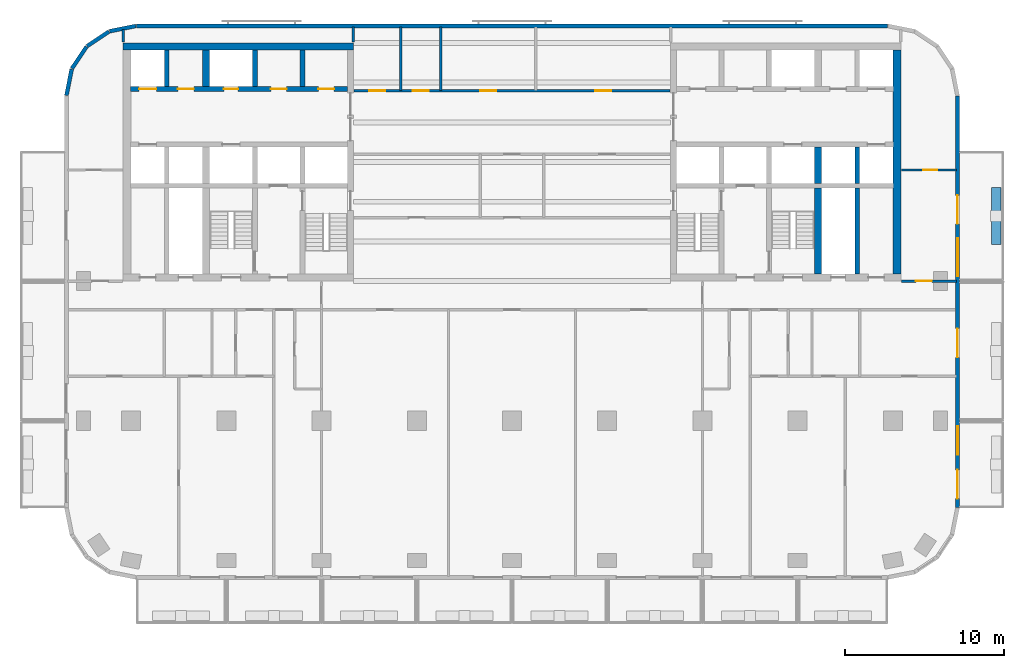
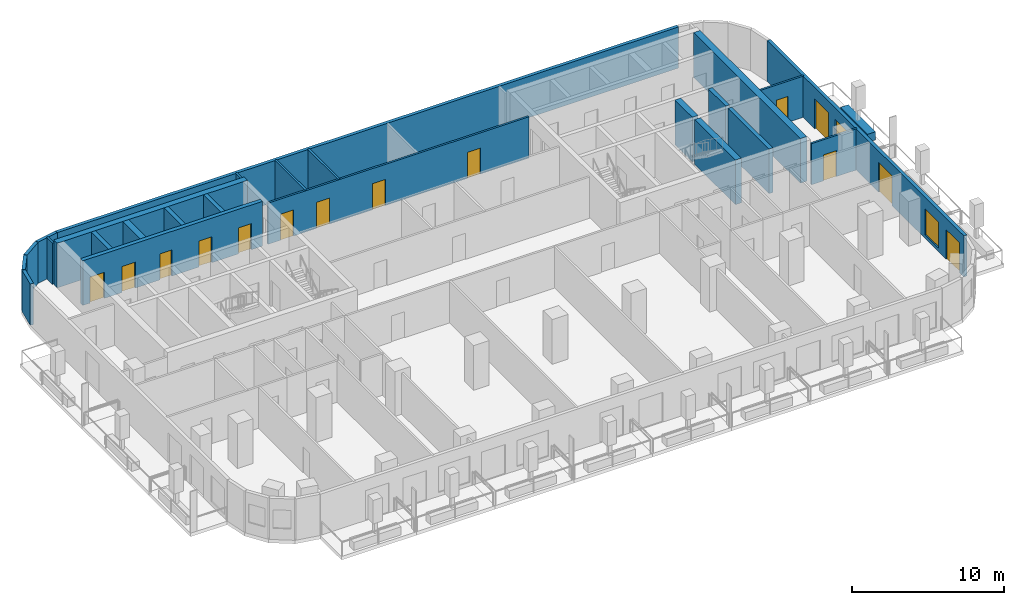
# One storey, part 6 of 11: 25 walls, 14 doors, 2 windows, 16 openings.
"""IFC4 building model written with IfcOpenShell, lengths in metres."""

from ifc_helpers import new_model, si_unit, direction, frame, frame_2d, origin, place, context, subcontext, project, spatial, rectangle, extrude, material, layer, layer_set, type_object, element, fill, save


model = new_model("IFC4")

# Units and contexts
model_context = context("Model", 3, precision=1e-05, world=origin(), true_north=direction((0.0, 1.0)))
body_context = subcontext(model_context, "Body", "Model", "MODEL_VIEW")
ifc_project = project(units=[si_unit("LENGTHUNIT", "METRE"), si_unit("AREAUNIT", "SQUARE_METRE"), si_unit("VOLUMEUNIT", "CUBIC_METRE"), si_unit("PLANEANGLEUNIT", "RADIAN"), si_unit("MASSUNIT", "GRAM", prefix="KILO")], contexts=[model_context])

# Site, building, storey
site_placement = place(None, origin())
site = spatial("IfcSite", under=ifc_project, at=site_placement, CompositionType="ELEMENT")
building_placement = place(site_placement, origin())
building = spatial("IfcBuilding", under=site, at=building_placement, Name="Torana Hotel and Residences", CompositionType="ELEMENT")
storey_placement = place(building_placement, frame((0.0, 0.0, 148.800048828125)))
storey = spatial("IfcBuildingStorey", under=building, at=storey_placement, Name="L38", CompositionType="ELEMENT", Elevation=148.800048828125)

# Wall, openings, doors
ifc_material_1 = material(Name="Concrete C70/85", Category="concrete")
ifc_layer_1 = layer(ifc_material_1, 0.300048828125)
ifc_layer_set_1 = layer_set([ifc_layer_1], Name="CORE WALL 300 C70/85")
wall_type_1 = type_object("IfcWallType", Name="CORE WALL 300 C70/85", PredefinedType="SHEAR", material=ifc_layer_set_1)
wall_1_placement = place(storey_placement, frame((-24.050048828125, -2.89990234375, 0.0), z_axis=(0.0, 0.0, 1.0), x_axis=(1.0, 0.0, 0.0)))
wall_1 = element("IfcWall", 1, at=wall_1_placement, inside=storey, type_object=wall_type_1, Name="Core wall W row-N", PredefinedType="SHEAR", context=body_context, shape_type="SweptSolid", body=[
    extrude(rectangle(XDim=13.699951171875, YDim=0.300048828125, at=frame_2d((6.85009765625, 0.0))), origin(), (0.0, 0.0, 1.0), 3.599853515625),
])
opening_1_placement = place(wall_1_placement, frame((0.550048828125, 0.0, 0.0)))
opening_1 = element("IfcOpeningElement", 2, at=opening_1_placement, cuts=wall_1, Name="Opening LD", PredefinedType="OPENING", context=body_context, shape_type="SweptSolid", body=[
    extrude(rectangle(XDim=1.10009765625, YDim=2.10009765625, at=frame_2d((0.550048828125, 1.050048828125))), frame((0.0, 0.159912109375, 0.0), z_axis=(0.0, -1.0, 0.0), x_axis=(1.0, 0.0, 0.0)), (0.0, 0.0, 1.0), 0.320068359375),
])
opening_2_placement = place(wall_1_placement, frame((5.89990234375, 0.0, 0.0)))
opening_2 = element("IfcOpeningElement", 3, at=opening_2_placement, cuts=wall_1, Name="Opening L38-08", PredefinedType="OPENING", context=body_context, shape_type="SweptSolid", body=[
    extrude(rectangle(XDim=0.89990234375, YDim=2.10009765625, at=frame_2d((0.449951171875, 1.050048828125))), frame((0.0, 0.159912109375, 0.0), z_axis=(0.0, -1.0, 0.0), x_axis=(1.0, 0.0, 0.0)), (0.0, 0.0, 1.0), 0.320068359375),
])
opening_3_placement = place(wall_1_placement, frame((11.85009765625, 0.0, 0.0)))
opening_3 = element("IfcOpeningElement", 4, at=opening_3_placement, cuts=wall_1, Name="Opening L38-09", PredefinedType="OPENING", context=body_context, shape_type="SweptSolid", body=[
    extrude(rectangle(XDim=1.0, YDim=2.10009765625, at=frame_2d((0.5, 1.050048828125))), frame((0.0, 0.159912109375, 0.0), z_axis=(0.0, -1.0, 0.0), x_axis=(1.0, 0.0, 0.0)), (0.0, 0.0, 1.0), 0.320068359375),
])
opening_4_placement = place(wall_1_placement, frame((8.85009765625, 0.0, 0.0)))
opening_4 = element("IfcOpeningElement", 5, at=opening_4_placement, cuts=wall_1, Name="Opening L38-10", PredefinedType="OPENING", context=body_context, shape_type="SweptSolid", body=[
    extrude(rectangle(XDim=1.0, YDim=2.10009765625, at=frame_2d((0.5, 1.050048828125))), frame((0.0, 0.159912109375, 0.0), z_axis=(0.0, -1.0, 0.0), x_axis=(1.0, 0.0, 0.0)), (0.0, 0.0, 1.0), 0.320068359375),
])
opening_5_placement = place(wall_1_placement, frame((3.0, 0.0, 0.0)))
opening_5 = element("IfcOpeningElement", 6, at=opening_5_placement, cuts=wall_1, Name="Opening L38-11", PredefinedType="OPENING", context=body_context, shape_type="SweptSolid", body=[
    extrude(rectangle(XDim=1.0, YDim=2.10009765625, at=frame_2d((0.5, 1.050048828125))), frame((0.0, 0.159912109375, 0.0), z_axis=(0.0, -1.0, 0.0), x_axis=(1.0, 0.0, 0.0)), (0.0, 0.0, 1.0), 0.320068359375),
])
ifc_material_2 = material(Name="Steel S235", Category="steel")
door_type_1 = type_object("IfcDoorType", Name="CORE ROOM FIRE DOOR D14 1000x2100", OperationType="SINGLE_SWING_LEFT", PredefinedType="DOOR", material=ifc_material_2)
door_1_placement = place(opening_3_placement, origin())
door_1 = element("IfcDoor", 7, at=door_1_placement, inside=storey, type_object=door_type_1, Name="N0 door L38", OperationType="SINGLE_SWING_RIGHT", OverallHeight=2.10009765625, OverallWidth=1.0, PredefinedType="DOOR", context=body_context, shape_type="SweptSolid", body=[
    extrude(rectangle(XDim=1.0, YDim=2.10009765625, at=frame_2d((0.5, 1.050048828125))), frame((0.0, 0.02490234375, 0.0), z_axis=(0.0, -1.0, 0.0), x_axis=(1.0, 0.0, 0.0)), (0.0, 0.0, 1.0), 0.050048828125),
])
fill(opening_3, door_1)
door_2_placement = place(opening_4_placement, origin())
door_2 = element("IfcDoor", 8, at=door_2_placement, inside=storey, type_object=door_type_1, Name="N1 door L38", OperationType="SINGLE_SWING_RIGHT", OverallHeight=2.10009765625, OverallWidth=1.0, PredefinedType="DOOR", context=body_context, shape_type="SweptSolid", body=[
    extrude(rectangle(XDim=1.0, YDim=2.10009765625, at=frame_2d((0.5, 1.050048828125))), frame((0.0, 0.02490234375, 0.0), z_axis=(0.0, -1.0, 0.0), x_axis=(1.0, 0.0, 0.0)), (0.0, 0.0, 1.0), 0.050048828125),
])
fill(opening_4, door_2)
door_3_placement = place(opening_5_placement, origin())
door_3 = element("IfcDoor", 9, at=door_3_placement, inside=storey, type_object=door_type_1, Name="Freed-S1 door L38", OperationType="SINGLE_SWING_RIGHT", OverallHeight=2.10009765625, OverallWidth=1.0, PredefinedType="DOOR", context=body_context, shape_type="SweptSolid", body=[
    extrude(rectangle(XDim=1.0, YDim=2.10009765625, at=frame_2d((0.5, 1.050048828125))), frame((0.0, 0.02490234375, 0.0), z_axis=(0.0, -1.0, 0.0), x_axis=(1.0, 0.0, 0.0)), (0.0, 0.0, 1.0), 0.050048828125),
])
fill(opening_5, door_3)
ifc_material_3 = material(Name="Stainless steel 316", Category="steel")
door_type_2 = type_object("IfcDoorType", Name="LIFT LANDING DOOR LD 1100x2100", OperationType="DOUBLE_DOOR_SLIDING", PredefinedType="USERDEFINED", material=ifc_material_3)
door_4_placement = place(opening_1_placement, origin())
door_4 = element("IfcDoor", 10, at=door_4_placement, inside=storey, type_object=door_type_2, Name="Lift landing door M1 L38", ObjectType="LIFT LANDING DOOR", OperationType="DOUBLE_DOOR_SLIDING", OverallHeight=2.10009765625, OverallWidth=1.10009765625, PredefinedType="USERDEFINED", context=body_context, shape_type="SweptSolid", body=[
    extrude(rectangle(XDim=1.10009765625, YDim=2.10009765625, at=frame_2d((0.550048828125, 1.050048828125))), frame((0.0, 0.02490234375, 0.0), z_axis=(0.0, -1.0, 0.0), x_axis=(1.0, 0.0, 0.0)), (0.0, 0.0, 1.0), 0.050048828125),
])
fill(opening_1, door_4)
ifc_material_4 = material(Name="Steel S235", Category="steel")
door_type_3 = type_object("IfcDoorType", Name="RISER ACCESS DOOR D5 900x2100", OperationType="SINGLE_SWING_LEFT", PredefinedType="DOOR", material=ifc_material_4)
door_5_placement = place(opening_2_placement, origin())
door_5 = element("IfcDoor", 11, at=door_5_placement, inside=storey, type_object=door_type_3, Name="N2 door L38", OperationType="SINGLE_SWING_RIGHT", OverallHeight=2.10009765625, OverallWidth=0.89990234375, PredefinedType="DOOR", context=body_context, shape_type="SweptSolid", body=[
    extrude(rectangle(XDim=0.89990234375, YDim=2.10009765625, at=frame_2d((0.449951171875, 1.050048828125))), frame((0.0, 0.02490234375, 0.0), z_axis=(0.0, -1.0, 0.0), x_axis=(1.0, 0.0, 0.0)), (0.0, 0.0, 1.0), 0.050048828125),
])
fill(opening_2, door_5)

# Walls
for number, where, z_axis, x_axis, name in (
    (12, (-13.199951171875, -2.75, 0.0), (0.0, 0.0, 1.0), (0.0, 1.0, 0.0), "Core wall W x3.05-N"),
    (13, (-16.199951171875, -2.75, 0.0), (0.0, 0.0, 1.0), (0.0, 1.0, 0.0), "Core wall W x6.05-N"),
    (14, (-21.75, -2.75, 0.0), (0.0, 0.0, 1.0), (0.0, 1.0, 0.0), "Core wall W mm-N"),
    (15, (21.75, -8.85009765625, 0.0), (0.0, 0.0, 1.0), (0.0, 1.0, 0.0), "Core wall E mm-S"),
):
    element("IfcWall", number, at=place(storey_placement, frame(where, z_axis=z_axis, x_axis=x_axis)), inside=storey, type_object=wall_type_1, Name=name, PredefinedType="SHEAR", context=body_context, shape_type="SweptSolid", body=[
        extrude(rectangle(XDim=2.300048828125, YDim=0.300048828125, at=frame_2d((1.14990234375, 0.0))), origin(), (0.0, 0.0, 1.0), 3.599853515625),
    ])
wall_2_placement = place(storey_placement, frame((21.75, -14.550048828125, 0.0), z_axis=(0.0, 0.0, 1.0), x_axis=(0.0, 1.0, 0.0)))
element("IfcWall", 16, at=wall_2_placement, inside=storey, type_object=wall_type_1, Name="Core wall E mm-band", PredefinedType="SHEAR", context=body_context, shape_type="SweptSolid", body=[
    extrude(rectangle(XDim=5.400146484375, YDim=0.300048828125, at=frame_2d((2.7001953125, 0.0))), origin(), (0.0, 0.0, 1.0), 3.599853515625),
])
ifc_material_5 = material(Name="Concrete C70/85", Category="concrete")
ifc_layer_2 = layer(ifc_material_5, 0.449951171875)
ifc_layer_set_2 = layer_set([ifc_layer_2], Name="CORE WALL 450 C70/85")
wall_type_2 = type_object("IfcWallType", Name="CORE WALL 450 C70/85", PredefinedType="SHEAR", material=ifc_layer_set_2)
wall_3_placement = place(storey_placement, frame((-24.5, -0.22509765625, 0.0), z_axis=(0.0, 0.0, 1.0), x_axis=(1.0, 0.0, 0.0)))
element("IfcWall", 17, at=wall_3_placement, inside=storey, type_object=wall_type_2, Name="Core wall W rear", PredefinedType="SHEAR", context=body_context, shape_type="SweptSolid", body=[
    extrude(rectangle(XDim=14.5, YDim=0.449951171875, at=frame_2d((7.25, 0.0))), origin(), (0.0, 0.0, 1.0), 3.599853515625),
])
for number, where, z_axis, x_axis, name in (
    (18, (-19.27490234375, -2.75, 0.0), (0.0, 0.0, 1.0), (0.0, 1.0, 0.0), "Core wall W hm-N"),
    (19, (19.27490234375, -8.85009765625, 0.0), (0.0, 0.0, 1.0), (0.0, 1.0, 0.0), "Core wall E hm-S"),
):
    element("IfcWall", number, at=place(storey_placement, frame(where, z_axis=z_axis, x_axis=x_axis)), inside=storey, type_object=wall_type_2, Name=name, PredefinedType="SHEAR", context=body_context, shape_type="SweptSolid", body=[
        extrude(rectangle(XDim=2.300048828125, YDim=0.449951171875, at=frame_2d((1.14990234375, 0.0))), origin(), (0.0, 0.0, 1.0), 3.599853515625),
    ])
wall_4_placement = place(storey_placement, frame((19.27490234375, -14.550048828125, 0.0), z_axis=(0.0, 0.0, 1.0), x_axis=(0.0, 1.0, 0.0)))
element("IfcWall", 20, at=wall_4_placement, inside=storey, type_object=wall_type_2, Name="Core wall E hm-band", PredefinedType="SHEAR", context=body_context, shape_type="SweptSolid", body=[
    extrude(rectangle(XDim=5.400146484375, YDim=0.449951171875, at=frame_2d((2.7001953125, 0.0))), origin(), (0.0, 0.0, 1.0), 3.599853515625),
])
ifc_material_6 = material(Name="Concrete C70/85", Category="concrete")
ifc_layer_3 = layer(ifc_material_6, 0.5)
ifc_layer_set_3 = layer_set([ifc_layer_3], Name="CORE WALL 500 C70/85")
wall_type_3 = type_object("IfcWallType", Name="CORE WALL 500 C70/85", PredefinedType="SHEAR", material=ifc_layer_set_3)
wall_5_placement = place(storey_placement, frame((24.25, -14.550048828125, 0.0), z_axis=(0.0, 0.0, 1.0), x_axis=(0.0, 1.0, 0.0)))
element("IfcWall", 21, at=wall_5_placement, inside=storey, type_object=wall_type_3, Name="Core wall E outer", PredefinedType="SHEAR", context=body_context, shape_type="SweptSolid", body=[
    extrude(rectangle(XDim=14.10009765625, YDim=0.5, at=frame_2d((7.050048828125, 0.0))), origin(), (0.0, 0.0, 1.0), 3.599853515625),
])
ifc_material_7 = material(Name="Black aluminium composite panel", Category="aluminium")
ifc_layer_4 = layer(ifc_material_7, 0.00390625, Name="Cladding", Category="cladding")
ifc_material_8 = material(Name="Ventilated air cavity")
ifc_layer_5 = layer(ifc_material_8, 0.0400390625, Name="Ventilated cavity", Category="cavity")
ifc_material_9 = material(Name="Mineral wool insulation")
ifc_layer_6 = layer(ifc_material_9, 0.090087890625, Name="Insulation", Category="insulation")
ifc_material_10 = material(Name="Steel S280GD", Category="steel")
ifc_layer_7 = layer(ifc_material_10, 0.092041015625, Name="Steel stud frame", Category="structure")
ifc_material_11 = material(Name="Fire rated plasterboard")
ifc_layer_8 = layer(ifc_material_11, 0.011962890625, Name="Inner board", Category="finish")
ifc_layer_9 = layer(ifc_material_11, 0.011962890625, Name="Second board", Category="finish")
ifc_layer_set_4 = layer_set([ifc_layer_4, ifc_layer_5, ifc_layer_6, ifc_layer_7, ifc_layer_8, ifc_layer_9], Name="EW1 EXTERNAL WALL BLACK METAL CLAD 250")
wall_type_4 = type_object("IfcWallType", Name="EW1 EXTERNAL WALL BLACK METAL CLAD 250", PredefinedType="SOLIDWALL", material=ifc_layer_set_4)
wall_6_placement = place(storey_placement, frame((-23.69970703125, 1.072509765625, 0.0), z_axis=(0.0, 0.0, 1.0), x_axis=(-0.980803419081, -0.194999110559, 0.0)))
element("IfcWall", 22, at=wall_6_placement, inside=storey, type_object=wall_type_4, Name="External wall L38 e0.5", PredefinedType="SOLIDWALL", context=body_context, shape_type="SweptSolid", body=[
    extrude(rectangle(XDim=1.681396484375, YDim=0.25, at=frame_2d((0.8408203125, 0.0))), origin(), (0.0, 0.0, 1.0), 3.320068359375),
])
for number, where, z_axis, x_axis, name in (
    (23, (-25.39404296875, 0.725830078125, 0.0), (0.0, 0.0, 1.0), (-0.831482937015, -0.55555029066, 0.0), "External wall L38 e0.6"),
    (24, (-26.8056640625, -0.228759765625, 0.0), (0.0, 0.0, 1.0), (-0.55555029066, -0.831482937015, 0.0), "External wall L38 e0.7"),
):
    element("IfcWall", number, at=place(storey_placement, frame(where, z_axis=z_axis, x_axis=x_axis)), inside=storey, type_object=wall_type_4, Name=name, PredefinedType="SOLIDWALL", context=body_context, shape_type="SweptSolid", body=[
        extrude(rectangle(XDim=1.65625, YDim=0.25, at=frame_2d((0.828125, 0.0))), origin(), (0.0, 0.0, 1.0), 3.320068359375),
    ])
wall_7_placement = place(storey_placement, frame((-27.74462890625, -1.651123046875, 0.0), z_axis=(0.0, 0.0, 1.0), x_axis=(-0.194999110559, -0.980803419081, 0.0)))
element("IfcWall", 25, at=wall_7_placement, inside=storey, type_object=wall_type_4, Name="External wall L38 e0.8", PredefinedType="SOLIDWALL", context=body_context, shape_type="SweptSolid", body=[
    extrude(rectangle(XDim=1.681396484375, YDim=0.25, at=frame_2d((0.8408203125, 0.0))), origin(), (0.0, 0.0, 1.0), 3.320068359375),
])

# Wall, openings, doors, windows
wall_8_placement = place(storey_placement, frame((28.074951171875, -29.275390625, 0.0), z_axis=(0.0, 0.0, 1.0), x_axis=(0.0, 1.0, 0.0)))
wall_8 = element("IfcWall", 26, at=wall_8_placement, inside=storey, type_object=wall_type_4, Name="External wall L38 e0.19", PredefinedType="SOLIDWALL", context=body_context, shape_type="SweptSolid", body=[
    extrude(rectangle(XDim=25.95068359375, YDim=0.25, at=frame_2d((12.975341796875, 0.0))), origin(), (0.0, 0.0, 1.0), 3.320068359375),
])
opening_6_placement = place(wall_8_placement, frame((0.575439453125, 0.0, 0.0)))
opening_6 = element("IfcOpeningElement", 27, at=opening_6_placement, cuts=wall_8, Name="Opening L38-E09", PredefinedType="OPENING", context=body_context, shape_type="SweptSolid", body=[
    extrude(rectangle(XDim=1.800048828125, YDim=2.39990234375, at=frame_2d((0.89990234375, 1.199951171875))), frame((0.0, 0.135009765625, 0.0), z_axis=(0.0, -1.0, 0.0), x_axis=(1.0, 0.0, 0.0)), (0.0, 0.0, 1.0), 0.27001953125),
])
opening_7_placement = place(wall_8_placement, frame((3.325439453125, 0.0, 0.300048828125)))
opening_7 = element("IfcOpeningElement", 28, at=opening_7_placement, cuts=wall_8, Name="Opening W2", PredefinedType="OPENING", context=body_context, shape_type="SweptSolid", body=[
    extrude(rectangle(XDim=1.800048828125, YDim=2.10009765625, at=frame_2d((0.89990234375, 1.050048828125))), frame((0.0, 0.135009765625, 0.0), z_axis=(0.0, -1.0, 0.0), x_axis=(1.0, 0.0, 0.0)), (0.0, 0.0, 1.0), 0.27001953125),
])
opening_8_placement = place(wall_8_placement, frame((9.475341796875, 0.0, 0.0)))
opening_8 = element("IfcOpeningElement", 29, at=opening_8_placement, cuts=wall_8, Name="Opening L38-E10", PredefinedType="OPENING", context=body_context, shape_type="SweptSolid", body=[
    extrude(rectangle(XDim=1.800048828125, YDim=2.39990234375, at=frame_2d((0.89990234375, 1.199951171875))), frame((0.0, 0.135009765625, 0.0), z_axis=(0.0, -1.0, 0.0), x_axis=(1.0, 0.0, 0.0)), (0.0, 0.0, 1.0), 0.27001953125),
])
opening_9_placement = place(wall_8_placement, frame((14.575439453125, 0.0, 0.300048828125)))
opening_9 = element("IfcOpeningElement", 30, at=opening_9_placement, cuts=wall_8, Name="Opening W1", PredefinedType="OPENING", context=body_context, shape_type="SweptSolid", body=[
    extrude(rectangle(XDim=2.39990234375, YDim=2.10009765625, at=frame_2d((1.199951171875, 1.050048828125))), frame((0.0, 0.135009765625, 0.0), z_axis=(0.0, -1.0, 0.0), x_axis=(1.0, 0.0, 0.0)), (0.0, 0.0, 1.0), 0.27001953125),
])
opening_10_placement = place(wall_8_placement, frame((17.87548828125, 0.0, 0.0)))
opening_10 = element("IfcOpeningElement", 31, at=opening_10_placement, cuts=wall_8, Name="Opening L38-E11", PredefinedType="OPENING", context=body_context, shape_type="SweptSolid", body=[
    extrude(rectangle(XDim=1.800048828125, YDim=2.39990234375, at=frame_2d((0.89990234375, 1.199951171875))), frame((0.0, 0.135009765625, 0.0), z_axis=(0.0, -1.0, 0.0), x_axis=(1.0, 0.0, 0.0)), (0.0, 0.0, 1.0), 0.27001953125),
])
ifc_material_12 = material(Name="Dark glass in black aluminium frame", Category="aluminium")
door_type_4 = type_object("IfcDoorType", Name="DB1 BALCONY DOOR 1800x2400", OperationType="DOUBLE_DOOR_SINGLE_SWING", PredefinedType="DOOR", material=ifc_material_12)
door_6_placement = place(opening_6_placement, origin())
door_6 = element("IfcDoor", 32, at=door_6_placement, inside=storey, type_object=door_type_4, Name="Balcony door L38", OperationType="DOUBLE_DOOR_SINGLE_SWING", OverallHeight=2.39990234375, OverallWidth=1.800048828125, PredefinedType="DOOR", context=body_context, shape_type="SweptSolid", body=[
    extrude(rectangle(XDim=1.800048828125, YDim=2.39990234375, at=frame_2d((0.89990234375, 1.199951171875))), frame((0.0, 0.02490234375, 0.0), z_axis=(0.0, -1.0, 0.0), x_axis=(1.0, 0.0, 0.0)), (0.0, 0.0, 1.0), 0.050048828125),
])
fill(opening_6, door_6)
door_7_placement = place(opening_8_placement, origin())
door_7 = element("IfcDoor", 33, at=door_7_placement, inside=storey, type_object=door_type_4, Name="Balcony door L38", OperationType="DOUBLE_DOOR_SINGLE_SWING", OverallHeight=2.39990234375, OverallWidth=1.800048828125, PredefinedType="DOOR", context=body_context, shape_type="SweptSolid", body=[
    extrude(rectangle(XDim=1.800048828125, YDim=2.39990234375, at=frame_2d((0.89990234375, 1.199951171875))), frame((0.0, 0.02490234375, 0.0), z_axis=(0.0, -1.0, 0.0), x_axis=(1.0, 0.0, 0.0)), (0.0, 0.0, 1.0), 0.050048828125),
])
fill(opening_8, door_7)
door_8_placement = place(opening_10_placement, origin())
door_8 = element("IfcDoor", 34, at=door_8_placement, inside=storey, type_object=door_type_4, Name="Balcony door L38", OperationType="DOUBLE_DOOR_SINGLE_SWING", OverallHeight=2.39990234375, OverallWidth=1.800048828125, PredefinedType="DOOR", context=body_context, shape_type="SweptSolid", body=[
    extrude(rectangle(XDim=1.800048828125, YDim=2.39990234375, at=frame_2d((0.89990234375, 1.199951171875))), frame((0.0, 0.02490234375, 0.0), z_axis=(0.0, -1.0, 0.0), x_axis=(1.0, 0.0, 0.0)), (0.0, 0.0, 1.0), 0.050048828125),
])
fill(opening_10, door_8)
ifc_material_13 = material(Name="Dark glass in black aluminium frame", Category="aluminium")
window_type_1 = type_object("IfcWindowType", Name="W1 HOTEL ROOM WINDOW 2400x2100", PartitioningType="SINGLE_PANEL", PredefinedType="WINDOW", material=ifc_material_13)
window_1_placement = place(opening_9_placement, origin())
window_1 = element("IfcWindow", 35, at=window_1_placement, inside=storey, type_object=window_type_1, Name="Window L38", OverallHeight=2.10009765625, OverallWidth=2.39990234375, PartitioningType="SINGLE_PANEL", PredefinedType="WINDOW", context=body_context, shape_type="SweptSolid", body=[
    extrude(rectangle(XDim=2.39990234375, YDim=2.10009765625, at=frame_2d((1.199951171875, 1.050048828125))), frame((0.0, 0.030029296875, 0.0), z_axis=(0.0, -1.0, 0.0), x_axis=(1.0, 0.0, 0.0)), (0.0, 0.0, 1.0), 0.06005859375),
])
fill(opening_9, window_1)
ifc_material_14 = material(Name="Dark glass in black aluminium frame", Category="aluminium")
window_type_2 = type_object("IfcWindowType", Name="W2 HOTEL ROOM WINDOW NARROW 1800x2100", PartitioningType="SINGLE_PANEL", PredefinedType="WINDOW", material=ifc_material_14)
window_2_placement = place(opening_7_placement, origin())
window_2 = element("IfcWindow", 36, at=window_2_placement, inside=storey, type_object=window_type_2, Name="Window L38", OverallHeight=2.10009765625, OverallWidth=1.800048828125, PartitioningType="SINGLE_PANEL", PredefinedType="WINDOW", context=body_context, shape_type="SweptSolid", body=[
    extrude(rectangle(XDim=1.800048828125, YDim=2.10009765625, at=frame_2d((0.89990234375, 1.050048828125))), frame((0.0, 0.030029296875, 0.0), z_axis=(0.0, -1.0, 0.0), x_axis=(1.0, 0.0, 0.0)), (0.0, 0.0, 1.0), 0.06005859375),
])
fill(opening_7, window_2)

# Wall
ifc_material_15 = material(Name="Concrete C40/50 precast", Category="concrete")
ifc_layer_10 = layer(ifc_material_15, 0.10009765625, Name="Perforated block", Category="cladding")
ifc_material_16 = material(Name="Air cavity")
ifc_layer_11 = layer(ifc_material_16, 0.030029296875, Name="Cavity", Category="cavity")
ifc_material_17 = material(Name="Concrete C40/50", Category="concrete")
ifc_layer_12 = layer(ifc_material_17, 0.10009765625, Name="Wall", Category="structure")
ifc_material_18 = material(Name="Plaster and paint")
ifc_layer_13 = layer(ifc_material_18, 0.02001953125, Name="Inner finish", Category="finish")
ifc_layer_set_5 = layer_set([ifc_layer_10, ifc_layer_11, ifc_layer_12, ifc_layer_13], Name="EW2 PERFORATED BLOCK SCREEN WALL 250")
wall_type_5 = type_object("IfcWallType", Name="EW2 PERFORATED BLOCK SCREEN WALL 250", PredefinedType="SOLIDWALL", material=ifc_layer_set_5)
wall_9_placement = place(storey_placement, frame((23.67529296875, 1.074951171875, 0.0), z_axis=(0.0, 0.0, 1.0), x_axis=(-1.0, 0.0, 0.0)))
element("IfcWall", 37, at=wall_9_placement, inside=storey, type_object=wall_type_5, Name="External wall L38 e0.4", PredefinedType="SOLIDWALL", context=body_context, shape_type="SweptSolid", body=[
    extrude(rectangle(XDim=47.3505859375, YDim=0.25, at=frame_2d((23.67529296875, 0.0))), origin(), (0.0, 0.0, 1.0), 3.320068359375),
])

# Wall, opening, door
ifc_material_19 = material(Name="Gypsum plaster")
ifc_layer_14 = layer(ifc_material_19, 0.014892578125, Name="Plaster", Category="finish")
ifc_material_20 = material(Name="Concrete blockwork", Category="masonry")
ifc_layer_15 = layer(ifc_material_20, 0.1201171875, Name="Blockwork", Category="structure")
ifc_layer_16 = layer(ifc_material_19, 0.014892578125, Name="Plaster", Category="finish")
ifc_layer_set_6 = layer_set([ifc_layer_14, ifc_layer_15, ifc_layer_16], Name="FIRE PARTITION 150 BLOCKWORK")
wall_type_6 = type_object("IfcWallType", Name="FIRE PARTITION 150 BLOCKWORK", PredefinedType="PARTITIONING", material=ifc_layer_set_6)
wall_10_placement = place(storey_placement, frame((24.550048828125, -15.0, 0.0), z_axis=(0.0, 0.0, 1.0), x_axis=(1.0, 0.0, 0.0)))
wall_10 = element("IfcWall", 38, at=wall_10_placement, inside=storey, type_object=wall_type_6, Name="Partition L38", PredefinedType="PARTITIONING", context=body_context, shape_type="SweptSolid", body=[
    extrude(rectangle(XDim=3.469970703125, YDim=0.14990234375, at=frame_2d((1.73486328125, 0.0))), origin(), (0.0, 0.0, 1.0), 3.320068359375),
])
opening_11_placement = place(wall_10_placement, frame((0.89990234375, 0.0, 0.0)))
opening_11 = element("IfcOpeningElement", 39, at=opening_11_placement, cuts=wall_10, Name="Opening L38-34", PredefinedType="OPENING", context=body_context, shape_type="SweptSolid", body=[
    extrude(rectangle(XDim=1.0, YDim=2.10009765625, at=frame_2d((0.5, 1.050048828125))), frame((0.0, 0.0849609375, 0.0), z_axis=(0.0, -1.0, 0.0), x_axis=(1.0, 0.0, 0.0)), (0.0, 0.0, 1.0), 0.169921875),
])
door_9_placement = place(opening_11_placement, origin())
door_9 = element("IfcDoor", 40, at=door_9_placement, inside=storey, type_object=door_type_1, Name="Door L38", OperationType="SINGLE_SWING_LEFT", OverallHeight=2.10009765625, OverallWidth=1.0, PredefinedType="DOOR", context=body_context, shape_type="SweptSolid", body=[
    extrude(rectangle(XDim=1.0, YDim=2.10009765625, at=frame_2d((0.5, 1.050048828125))), frame((0.0, 0.02490234375, 0.0), z_axis=(0.0, -1.0, 0.0), x_axis=(1.0, 0.0, 0.0)), (0.0, 0.0, 1.0), 0.050048828125),
])
fill(opening_11, door_9)

# Wall, openings, doors
wall_11_placement = place(storey_placement, frame((-9.949951171875, -3.0, 0.0), z_axis=(0.0, 0.0, 1.0), x_axis=(1.0, 0.0, 0.0)))
wall_11 = element("IfcWall", 41, at=wall_11_placement, inside=storey, type_object=wall_type_6, Name="Partition L38", PredefinedType="PARTITIONING", context=body_context, shape_type="SweptSolid", body=[
    extrude(rectangle(XDim=19.89990234375, YDim=0.14990234375, at=frame_2d((9.949951171875, 0.0))), origin(), (0.0, 0.0, 1.0), 3.320068359375),
])
opening_12_placement = place(wall_11_placement, frame((0.949951171875, 0.0, 0.0)))
opening_12 = element("IfcOpeningElement", 42, at=opening_12_placement, cuts=wall_11, Name="Opening L38-42", PredefinedType="OPENING", context=body_context, shape_type="SweptSolid", body=[
    extrude(rectangle(XDim=1.0, YDim=2.10009765625, at=frame_2d((0.5, 1.050048828125))), frame((0.0, 0.0849609375, 0.0), z_axis=(0.0, -1.0, 0.0), x_axis=(1.0, 0.0, 0.0)), (0.0, 0.0, 1.0), 0.169921875),
])
opening_13_placement = place(wall_11_placement, frame((3.699951171875, 0.0, 0.0)))
opening_13 = element("IfcOpeningElement", 43, at=opening_13_placement, cuts=wall_11, Name="Opening L38-43", PredefinedType="OPENING", context=body_context, shape_type="SweptSolid", body=[
    extrude(rectangle(XDim=1.0, YDim=2.10009765625, at=frame_2d((0.5, 1.050048828125))), frame((0.0, 0.0849609375, 0.0), z_axis=(0.0, -1.0, 0.0), x_axis=(1.0, 0.0, 0.0)), (0.0, 0.0, 1.0), 0.169921875),
])
opening_14_placement = place(wall_11_placement, frame((7.949951171875, 0.0, 0.0)))
opening_14 = element("IfcOpeningElement", 44, at=opening_14_placement, cuts=wall_11, Name="Opening L38-44", PredefinedType="OPENING", context=body_context, shape_type="SweptSolid", body=[
    extrude(rectangle(XDim=1.0, YDim=2.10009765625, at=frame_2d((0.5, 1.050048828125))), frame((0.0, 0.0849609375, 0.0), z_axis=(0.0, -1.0, 0.0), x_axis=(1.0, 0.0, 0.0)), (0.0, 0.0, 1.0), 0.169921875),
])
opening_15_placement = place(wall_11_placement, frame((15.199951171875, 0.0, 0.0)))
opening_15 = element("IfcOpeningElement", 45, at=opening_15_placement, cuts=wall_11, Name="Opening L38-45", PredefinedType="OPENING", context=body_context, shape_type="SweptSolid", body=[
    extrude(rectangle(XDim=1.0, YDim=2.10009765625, at=frame_2d((0.5, 1.050048828125))), frame((0.0, 0.0849609375, 0.0), z_axis=(0.0, -1.0, 0.0), x_axis=(1.0, 0.0, 0.0)), (0.0, 0.0, 1.0), 0.169921875),
])
ifc_material_21 = material(Name="Steel S235", Category="steel")
door_type_5 = type_object("IfcDoorType", Name="ENTRY FIRE DOOR D6 1000x2100", OperationType="SINGLE_SWING_LEFT", PredefinedType="DOOR", material=ifc_material_21)
door_10_placement = place(opening_12_placement, origin())
door_10 = element("IfcDoor", 46, at=door_10_placement, inside=storey, type_object=door_type_5, Name="Door L38", OperationType="SINGLE_SWING_RIGHT", OverallHeight=2.10009765625, OverallWidth=1.0, PredefinedType="DOOR", context=body_context, shape_type="SweptSolid", body=[
    extrude(rectangle(XDim=1.0, YDim=2.10009765625, at=frame_2d((0.5, 1.050048828125))), frame((0.0, 0.02490234375, 0.0), z_axis=(0.0, -1.0, 0.0), x_axis=(1.0, 0.0, 0.0)), (0.0, 0.0, 1.0), 0.050048828125),
])
fill(opening_12, door_10)
door_11_placement = place(opening_13_placement, origin())
door_11 = element("IfcDoor", 47, at=door_11_placement, inside=storey, type_object=door_type_5, Name="Door L38", OperationType="SINGLE_SWING_RIGHT", OverallHeight=2.10009765625, OverallWidth=1.0, PredefinedType="DOOR", context=body_context, shape_type="SweptSolid", body=[
    extrude(rectangle(XDim=1.0, YDim=2.10009765625, at=frame_2d((0.5, 1.050048828125))), frame((0.0, 0.02490234375, 0.0), z_axis=(0.0, -1.0, 0.0), x_axis=(1.0, 0.0, 0.0)), (0.0, 0.0, 1.0), 0.050048828125),
])
fill(opening_13, door_11)
door_12_placement = place(opening_14_placement, origin())
door_12 = element("IfcDoor", 48, at=door_12_placement, inside=storey, type_object=door_type_5, Name="Door L38", OperationType="SINGLE_SWING_RIGHT", OverallHeight=2.10009765625, OverallWidth=1.0, PredefinedType="DOOR", context=body_context, shape_type="SweptSolid", body=[
    extrude(rectangle(XDim=1.0, YDim=2.10009765625, at=frame_2d((0.5, 1.050048828125))), frame((0.0, 0.02490234375, 0.0), z_axis=(0.0, -1.0, 0.0), x_axis=(1.0, 0.0, 0.0)), (0.0, 0.0, 1.0), 0.050048828125),
])
fill(opening_14, door_12)
door_13_placement = place(opening_15_placement, origin())
door_13 = element("IfcDoor", 49, at=door_13_placement, inside=storey, type_object=door_type_5, Name="Door L38", OperationType="SINGLE_SWING_RIGHT", OverallHeight=2.10009765625, OverallWidth=1.0, PredefinedType="DOOR", context=body_context, shape_type="SweptSolid", body=[
    extrude(rectangle(XDim=1.0, YDim=2.10009765625, at=frame_2d((0.5, 1.050048828125))), frame((0.0, 0.02490234375, 0.0), z_axis=(0.0, -1.0, 0.0), x_axis=(1.0, 0.0, 0.0)), (0.0, 0.0, 1.0), 0.050048828125),
])
fill(opening_15, door_13)

# Wall
ifc_material_22 = material(Name="Gypsum plasterboard")
ifc_layer_17 = layer(ifc_material_22, 0.012451171875, Name="Plasterboard", Category="finish")
ifc_layer_18 = layer(ifc_material_22, 0.012451171875, Name="Plasterboard", Category="finish")
ifc_layer_19 = layer(ifc_material_10, 0.10009765625, Name="Steel studs with mineral wool", Category="insulation")
ifc_layer_20 = layer(ifc_material_22, 0.012451171875, Name="Plasterboard", Category="finish")
ifc_layer_21 = layer(ifc_material_22, 0.012451171875, Name="Plasterboard", Category="finish")
ifc_layer_set_7 = layer_set([ifc_layer_17, ifc_layer_18, ifc_layer_19, ifc_layer_20, ifc_layer_21], Name="PARTITION 150 PLASTERBOARD")
wall_type_7 = type_object("IfcWallType", Name="PARTITION 150 PLASTERBOARD", PredefinedType="PARTITIONING", material=ifc_layer_set_7)
wall_12_placement = place(storey_placement, frame((-24.5, 0.050048828125, 0.0), z_axis=(0.0, 0.0, 1.0), x_axis=(0.0, 1.0, 0.0)))
element("IfcWall", 50, at=wall_12_placement, inside=storey, type_object=wall_type_7, Name="Partition L38", PredefinedType="PARTITIONING", context=body_context, shape_type="SweptSolid", body=[
    extrude(rectangle(XDim=0.807373046875, YDim=0.14990234375, at=frame_2d((0.40380859375, 0.0))), origin(), (0.0, 0.0, 1.0), 3.320068359375),
])

# Wall, opening, door
wall_13_placement = place(storey_placement, frame((24.550048828125, -8.0, 0.0), z_axis=(0.0, 0.0, 1.0), x_axis=(1.0, 0.0, 0.0)))
wall_13 = element("IfcWall", 51, at=wall_13_placement, inside=storey, type_object=wall_type_7, Name="Partition L38", PredefinedType="PARTITIONING", context=body_context, shape_type="SweptSolid", body=[
    extrude(rectangle(XDim=3.469970703125, YDim=0.14990234375, at=frame_2d((1.73486328125, 0.0))), origin(), (0.0, 0.0, 1.0), 3.320068359375),
])
opening_16_placement = place(wall_13_placement, frame((1.35009765625, 0.0, 0.0)))
opening_16 = element("IfcOpeningElement", 52, at=opening_16_placement, cuts=wall_13, Name="Opening L38-59", PredefinedType="OPENING", context=body_context, shape_type="SweptSolid", body=[
    extrude(rectangle(XDim=0.89990234375, YDim=2.10009765625, at=frame_2d((0.449951171875, 1.050048828125))), frame((0.0, 0.0849609375, 0.0), z_axis=(0.0, -1.0, 0.0), x_axis=(1.0, 0.0, 0.0)), (0.0, 0.0, 1.0), 0.169921875),
])
ifc_material_23 = material(Name="Timber door, oiled ash", Category="wood")
door_type_6 = type_object("IfcDoorType", Name="ROOM DOOR D7 900x2100", OperationType="SINGLE_SWING_LEFT", PredefinedType="DOOR", material=ifc_material_23)
door_14_placement = place(opening_16_placement, origin())
door_14 = element("IfcDoor", 53, at=door_14_placement, inside=storey, type_object=door_type_6, Name="Door L38", OperationType="SINGLE_SWING_LEFT", OverallHeight=2.10009765625, OverallWidth=0.89990234375, PredefinedType="DOOR", context=body_context, shape_type="SweptSolid", body=[
    extrude(rectangle(XDim=0.89990234375, YDim=2.10009765625, at=frame_2d((0.449951171875, 1.050048828125))), frame((0.0, 0.02490234375, 0.0), z_axis=(0.0, -1.0, 0.0), x_axis=(1.0, 0.0, 0.0)), (0.0, 0.0, 1.0), 0.050048828125),
])
fill(opening_16, door_14)

# Walls
ifc_layer_22 = layer(ifc_material_15, 0.10009765625, Name="Planter shell", Category="structure")
ifc_material_24 = material(Name="Root resistant membrane")
ifc_layer_23 = layer(ifc_material_24, 0.00390625, Name="Waterproofing membrane", Category="membrane")
ifc_material_25 = material(Name="Drainage board with filter fleece")
ifc_layer_24 = layer(ifc_material_25, 0.02001953125, Name="Drainage board", Category="drainage")
ifc_material_26 = material(Name="Growing medium")
ifc_layer_25 = layer(ifc_material_26, 0.47607421875, Name="Planting substrate", Category="soil")
ifc_layer_set_8 = layer_set([ifc_layer_22, ifc_layer_23, ifc_layer_24, ifc_layer_25], Name="PL1 BALCONY PLANTER 600")
wall_type_8 = type_object("IfcWallType", Name="PL1 BALCONY PLANTER 600", PredefinedType="USERDEFINED", material=ifc_layer_set_8)
wall_14_placement = place(storey_placement, frame((30.5, -9.10009765625, 0.0), z_axis=(0.0, 0.0, 1.0), x_axis=(0.0, -1.0, 0.0)))
element("IfcWall", 54, at=wall_14_placement, inside=storey, type_object=wall_type_8, Name="Planter 14", ObjectType="PLANTER", PredefinedType="USERDEFINED", context=body_context, shape_type="SweptSolid", body=[
    extrude(rectangle(XDim=3.599853515625, YDim=0.60009765625, at=frame_2d((1.7998046875, 0.0))), origin(), (0.0, 0.0, 1.0), 0.64990234375),
])
ifc_material_27 = material(Name="Ceramic tile on adhesive")
ifc_layer_26 = layer(ifc_material_27, 0.010009765625, Name="Wall tile", Category="finish")
ifc_material_28 = material(Name="Cement render")
ifc_layer_27 = layer(ifc_material_28, 0.010009765625, Name="Render", Category="finish")
ifc_layer_28 = layer(ifc_material_20, 0.110107421875, Name="Blockwork", Category="structure")
ifc_layer_29 = layer(ifc_material_28, 0.010009765625, Name="Render", Category="finish")
ifc_layer_30 = layer(ifc_material_27, 0.010009765625, Name="Wall tile", Category="finish")
ifc_layer_set_9 = layer_set([ifc_layer_26, ifc_layer_27, ifc_layer_28, ifc_layer_29, ifc_layer_30], Name="WC PARTITION 150")
wall_type_9 = type_object("IfcWallType", Name="WC PARTITION 150", PredefinedType="PLUMBINGWALL", material=ifc_layer_set_9)
for number, where, z_axis, x_axis, name in (
    (55, (-4.5, -3.0, 0.0), (0.0, 0.0, 1.0), (0.0, 1.0, 0.0), "Partition L38"),
    (56, (-7.0, -3.0, 0.0), (0.0, 0.0, 1.0), (0.0, 1.0, 0.0), "Partition L38"),
):
    element("IfcWall", number, at=place(storey_placement, frame(where, z_axis=z_axis, x_axis=x_axis)), inside=storey, type_object=wall_type_9, Name=name, PredefinedType="PLUMBINGWALL", context=body_context, shape_type="SweptSolid", body=[
        extrude(rectangle(XDim=4.02001953125, YDim=0.14990234375, at=frame_2d((2.010009765625, 0.0))), origin(), (0.0, 0.0, 1.0), 3.320068359375),
    ])
wall_15_placement = place(storey_placement, frame((-10.0, 0.050048828125, 0.0), z_axis=(0.0, 0.0, 1.0), x_axis=(0.0, 1.0, 0.0)))
element("IfcWall", 57, at=wall_15_placement, inside=storey, type_object=wall_type_9, Name="Partition L38", PredefinedType="PLUMBINGWALL", context=body_context, shape_type="SweptSolid", body=[
    extrude(rectangle(XDim=0.969970703125, YDim=0.14990234375, at=frame_2d((0.48486328125, 0.0))), origin(), (0.0, 0.0, 1.0), 3.320068359375),
])

save(model, "model.ifc")
